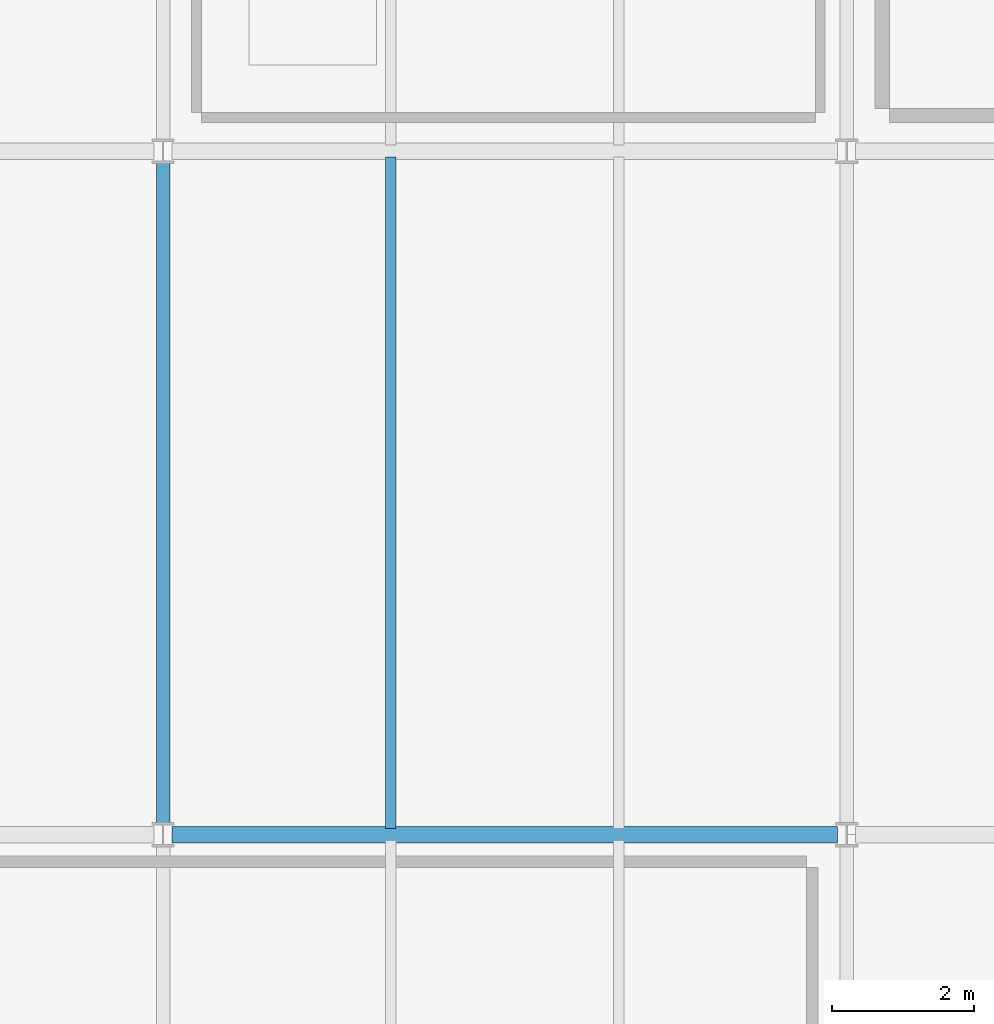
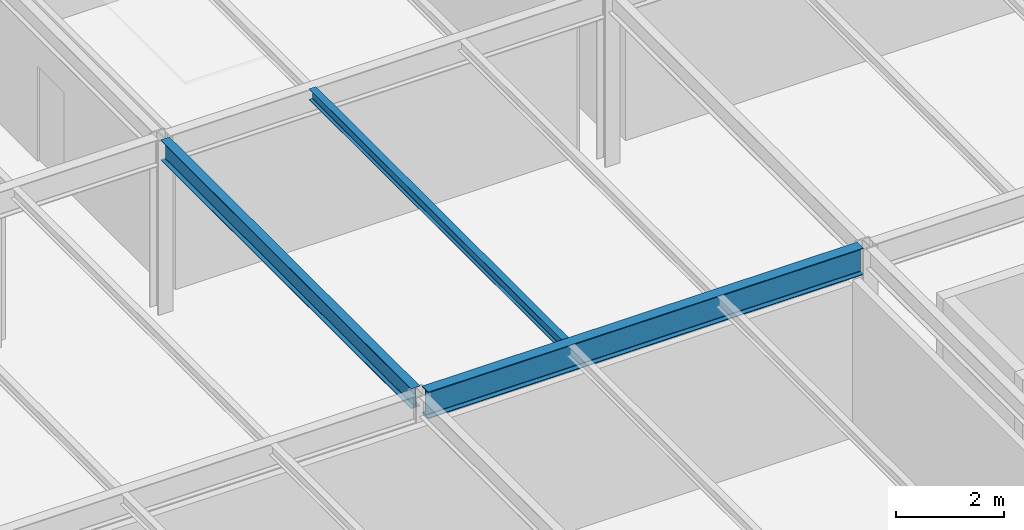
# One storey, part 12 of 126: 3 beams.
"""IFC4 building model written with IfcOpenShell, lengths in metres."""

import ifcopenshell
import ifcopenshell.guid

model = None  # the IFC model being written
_history = None  # IfcOwnerHistory: only IFC2X3 demands one
_inside = {}  # id of a spatial element -> (the spatial element, [elements in it])
_under = {}  # id of a project, library or spatial element -> (it, [spatial elements below it])
_declared = {}  # id of a project -> (the project, [libraries it declares])
_typed = {}  # id of a type object -> (the type object, [elements of that type])
_made_of = {}  # id of a material, layer set ... -> (it, [elements and type objects made of it])


def new_model(schema):
    """Start an empty IFC model of exactly this schema.

    Asked for "IFC4X3", IfcOpenShell would pick the latest addendum, in which some entities
    have other attributes; the version numbers below select the first issue.
    IFC2X3 requires an IfcOwnerHistory on every rooted entity: one is made here for all.
    """
    global model, _history
    if schema == "IFC4X3":
        model = ifcopenshell.file(schema_version=(4, 3, 0, 0))
    else:
        model = ifcopenshell.file(schema=schema)
    _inside.clear()
    _under.clear()
    _declared.clear()
    _typed.clear()
    _made_of.clear()
    _history = None
    if model.schema == "IFC2X3":
        org = make("IfcOrganization", Name="unknown")
        user = make(
            "IfcPersonAndOrganization",
            ThePerson=make("IfcPerson", FamilyName="unknown"),
            TheOrganization=org,
        )
        app = make(
            "IfcApplication",
            ApplicationDeveloper=org,
            Version="unknown",
            ApplicationFullName="unknown",
            ApplicationIdentifier="unknown",
        )
        _history = make(
            "IfcOwnerHistory",
            OwningUser=user,
            OwningApplication=app,
            ChangeAction="ADDED",
            CreationDate=0,
        )
    return model


def make(cls, **values):
    """One entity of the class cls with the attributes given. An attribute that is None is left unset."""
    return model.create_entity(
        cls, **{name: value for name, value in values.items() if value is not None}
    )


def rooted(cls, **values):
    """An entity with a GlobalId (a new one), such as an element, a storey or a relation."""
    return make(cls, GlobalId=ifcopenshell.guid.new(), OwnerHistory=_history, **values)


def si_unit(unit_type, name, prefix=None):
    """IfcSIUnit, for example si_unit("LENGTHUNIT", "METRE", prefix="MILLI")."""
    return make("IfcSIUnit", UnitType=unit_type, Prefix=prefix, Name=name)


def assignment(units):
    """IfcUnitAssignment: the units of a project."""
    return None if units is None else make("IfcUnitAssignment", Units=units)


def point(xyz):
    """IfcCartesianPoint."""
    return None if xyz is None else make("IfcCartesianPoint", Coordinates=xyz)


def direction(xyz):
    """IfcDirection."""
    return None if xyz is None else make("IfcDirection", DirectionRatios=xyz)


def frame(location, z_axis=None, x_axis=None):
    """IfcAxis2Placement3D, a coordinate frame: its origin and axes. An axis left out is left unset."""
    return make(
        "IfcAxis2Placement3D",
        Location=point(location),
        Axis=direction(z_axis),
        RefDirection=direction(x_axis),
    )


def frame_2d(location, x_axis=None):
    """IfcAxis2Placement2D, a coordinate frame in the plane: its origin and x axis."""
    return make(
        "IfcAxis2Placement2D", Location=point(location), RefDirection=direction(x_axis)
    )


def origin():
    """The frame at (0, 0, 0) with its axes left unset."""
    return frame((0.0, 0.0, 0.0))


def origin_2d():
    """The frame at (0, 0) in the plane with its x axis left unset."""
    return frame_2d((0.0, 0.0))


def place(relative_to, where):
    """IfcLocalPlacement: puts the frame where relative to a parent placement (None: the world)."""
    return make(
        "IfcLocalPlacement", PlacementRelTo=relative_to, RelativePlacement=where
    )


def context(
    kind, dimensions, precision=None, world=None, true_north=None, identifier=None
):
    """IfcGeometricRepresentationContext, for example the 3D "Model" context."""
    return make(
        "IfcGeometricRepresentationContext",
        ContextIdentifier=identifier,
        ContextType=kind,
        CoordinateSpaceDimension=dimensions,
        Precision=precision,
        WorldCoordinateSystem=world,
        TrueNorth=true_north,
    )


def subcontext(parent, identifier, kind, view, scale=None):
    """IfcGeometricRepresentationSubContext, for example "Body" below "Model"."""
    return make(
        "IfcGeometricRepresentationSubContext",
        ContextIdentifier=identifier,
        ContextType=kind,
        ParentContext=parent,
        TargetScale=scale,
        TargetView=view,
    )


def project(units=None, contexts=None):
    """IfcProject with its units and contexts."""
    return rooted(
        "IfcProject",
        Name="project",
        RepresentationContexts=contexts,
        UnitsInContext=assignment(units),
    )


def spatial(cls, under=None, at=None, **own):
    """A site, building, storey or space (cls), placed at a placement, below another one or the project."""
    s = rooted(cls, ObjectPlacement=at, **own)
    if under is not None:
        _under.setdefault(under.id(), (under, []))[1].append(s)
    return s


def profile(cls, at=None, kind="AREA", **sizes):
    """A parametric profile (cls). Its sizes go by their IFC names, for example OverallWidth=200.0."""
    return make(cls, ProfileType=kind, Position=at, **sizes)


def i_section(**sizes):
    """IfcIShapeProfileDef."""
    return profile("IfcIShapeProfileDef", **sizes)


def extrude(swept, where, along, depth):
    """IfcExtrudedAreaSolid: the profile swept, set in the frame where, extruded along a direction by depth."""
    return make(
        "IfcExtrudedAreaSolid",
        SweptArea=swept,
        Position=where,
        ExtrudedDirection=direction(along),
        Depth=depth,
    )


def shape(context_of_items, identifier, shape_type, items):
    """IfcShapeRepresentation: the items that make up one representation, for example the "Body"."""
    return make(
        "IfcShapeRepresentation",
        ContextOfItems=context_of_items,
        RepresentationIdentifier=identifier,
        RepresentationType=shape_type,
        Items=items,
    )


def material(Name=None, Category=None):
    """IfcMaterial."""
    return make("IfcMaterial", Name=Name, Category=Category)


def material_profile(
    of_material, cross_section, Name=None, Category=None, Priority=None
):
    """IfcMaterialProfile: a cross section and its material."""
    return make(
        "IfcMaterialProfile",
        Name=Name,
        Material=of_material,
        Profile=cross_section,
        Priority=Priority,
        Category=Category,
    )


def profile_set(profiles, Name=None, composite=None):
    """IfcMaterialProfileSet."""
    return make(
        "IfcMaterialProfileSet",
        Name=Name,
        MaterialProfiles=profiles,
        CompositeProfile=composite,
    )


def made_of(thing, what):
    """Note that an element or type object is made of a material, layer set ...; save() writes the relation."""
    if what is not None:
        _made_of.setdefault(what.id(), (what, []))[1].append(thing)
    return thing


def type_object(cls, material=None, **own):
    """A type object (cls), such as IfcWallType, which elements share."""
    return made_of(rooted(cls, **own), material)


def element(
    cls,
    number,
    at=None,
    inside=None,
    cuts=None,
    type_object=None,
    material=None,
    context=None,
    identifier="Body",
    shape_type=None,
    held_by="IfcProductDefinitionShape",
    body=None,
    shapes=None,
    **own,
):
    """One element of the class cls, such as IfcWall. Its Tag is "e" and its number.

    at: its placement. inside: the storey or other place that contains it. cuts: it is an
    opening in that element (IfcRelVoidsElement). A single representation is given by context,
    identifier, shape_type and body (its items); several are given by shapes. held_by: the class
    of the entity that holds the representations. save() writes the other relations.
    """
    e = rooted(cls, Tag="e%d" % number, ObjectPlacement=at, **own)
    if body is not None:
        shapes = [shape(context, identifier, shape_type, body)]
    if shapes is not None:
        e.Representation = make(held_by, Representations=shapes)
    if inside is not None:
        _inside.setdefault(inside.id(), (inside, []))[1].append(e)
    if cuts is not None:
        rooted(
            "IfcRelVoidsElement", RelatingBuildingElement=cuts, RelatedOpeningElement=e
        )
    if type_object is not None:
        _typed.setdefault(type_object.id(), (type_object, []))[1].append(e)
    return made_of(e, material)


def aggregate(whole, parts):
    """IfcRelAggregates: a whole, such as a stair, and the parts it consists of."""
    return rooted("IfcRelAggregates", RelatingObject=whole, RelatedObjects=parts)


def save(model, path):
    """Write the relations noted so far, then the file.

    IfcRelAggregates (storeys below a building ...), IfcRelContainedInSpatialStructure (elements
    in a storey), IfcRelDefinesByType, IfcRelAssociatesMaterial and IfcRelDeclares: one each for
    every whole, place, type object, material and project.
    """
    for whole, parts in _under.values():
        aggregate(whole, parts)
    for where, things in _inside.values():
        rooted(
            "IfcRelContainedInSpatialStructure",
            RelatedElements=things,
            RelatingStructure=where,
        )
    for kind, things in _typed.values():
        rooted("IfcRelDefinesByType", RelatedObjects=things, RelatingType=kind)
    for what, things in _made_of.values():
        rooted("IfcRelAssociatesMaterial", RelatedObjects=things, RelatingMaterial=what)
    for by, libraries in _declared.values():
        rooted("IfcRelDeclares", RelatingContext=by, RelatedDefinitions=libraries)
    model.write(path)


model = new_model("IFC4")

# Units and contexts
model_context = context("Model", 3, precision=1e-05, world=origin(), true_north=direction((0.0, 1.0)))
body_context = subcontext(model_context, "Body", "Model", "MODEL_VIEW")
ifc_project = project(units=[si_unit("LENGTHUNIT", "METRE"), si_unit("AREAUNIT", "SQUARE_METRE"), si_unit("VOLUMEUNIT", "CUBIC_METRE"), si_unit("PLANEANGLEUNIT", "RADIAN"), si_unit("MASSUNIT", "GRAM", prefix="KILO")], contexts=[model_context])

# Site, building, storey
site_placement = place(None, origin())
site = spatial("IfcSite", under=ifc_project, at=site_placement, CompositionType="ELEMENT")
building_placement = place(site_placement, origin())
building = spatial("IfcBuilding", under=site, at=building_placement, Name="Coralgate Yard Interchange", CompositionType="ELEMENT")
storey_placement = place(building_placement, frame((0.0, 0.0, 10.5)))
storey = spatial("IfcBuildingStorey", under=building, at=storey_placement, Name="L02", CompositionType="ELEMENT", Elevation=10.5)

# Beams
ifc_material = material(Name="Structural steel S355J2", Category="steel")
ifc_material_profile_1 = material_profile(ifc_material, i_section(OverallWidth=0.1904296875, OverallDepth=0.45703125, WebThickness=0.009033203125, FlangeThickness=0.014404296875, FilletRadius=0.01025390625, at=origin_2d()), Name="UB 457x191x74")
ifc_profile_set_1 = profile_set([ifc_material_profile_1], Name="Structural steel S355J2")
beam_type_1 = type_object("IfcBeamType", Name="BM-SB-2", PredefinedType="BEAM", material=ifc_profile_set_1)
beam_1_placement = place(storey_placement, frame((9.60009765625, 9.739990234375, 3.721435546875), z_axis=(0.0, 1.0, 0.0), x_axis=(-1.0, 0.0, 0.0)))
element("IfcBeam", 1, at=beam_1_placement, inside=storey, type_object=beam_type_1, Name="L02 primary grid girder X1 Y1-2", PredefinedType="BEAM", context=body_context, shape_type="SweptSolid", body=[
    extrude(i_section(OverallWidth=0.1904296875, OverallDepth=0.45703125, WebThickness=0.009033203125, FlangeThickness=0.014404296875, FilletRadius=0.01025390625, at=origin_2d()), origin(), (0.0, 0.0, 1.0), 9.320068359375),
])
ifc_material_profile_2 = material_profile(ifc_material, i_section(OverallWidth=0.228271484375, OverallDepth=0.607666015625, WebThickness=0.010986328125, FlangeThickness=0.017333984375, FilletRadius=0.0126953125, at=origin_2d()), Name="UB 610x229x113")
ifc_profile_set_2 = profile_set([ifc_material_profile_2], Name="Structural steel S355J2")
beam_type_2 = type_object("IfcBeamType", Name="BM-SG-5", PredefinedType="BEAM", material=ifc_profile_set_2)
beam_2_placement = place(storey_placement, frame((9.727294921875, 9.60009765625, 3.646240234375), z_axis=(1.0, 0.0, 0.0), x_axis=(0.0, 1.0, 0.0)))
element("IfcBeam", 2, at=beam_2_placement, inside=storey, type_object=beam_type_2, Name="L02 primary grid beam Y1 X1-2", PredefinedType="BEAM", context=body_context, shape_type="SweptSolid", body=[
    extrude(i_section(OverallWidth=0.228271484375, OverallDepth=0.607666015625, WebThickness=0.010986328125, FlangeThickness=0.017333984375, FilletRadius=0.0126953125, at=origin_2d()), origin(), (0.0, 0.0, 1.0), 9.345458984375),
])
ifc_material_profile_3 = material_profile(ifc_material, i_section(OverallWidth=0.14599609375, OverallDepth=0.25146484375, WebThickness=0.006103515625, FlangeThickness=0.008544921875, FilletRadius=0.007568359375, at=origin_2d()), Name="UB 254x146x31")
ifc_profile_set_3 = profile_set([ifc_material_profile_3], Name="Structural steel S355J2")
beam_type_3 = type_object("IfcBeamType", Name="BM-SJ-2", PredefinedType="JOIST", material=ifc_profile_set_3)
beam_3_placement = place(storey_placement, frame((12.800048828125, 9.68408203125, 3.82421875), z_axis=(0.0, 1.0, 0.0), x_axis=(-1.0, 0.0, 0.0)))
element("IfcBeam", 3, at=beam_3_placement, inside=storey, type_object=beam_type_3, Name="L02 composite floor joist 1-1-1", PredefinedType="JOIST", context=body_context, shape_type="SweptSolid", body=[
    extrude(i_section(OverallWidth=0.14599609375, OverallDepth=0.25146484375, WebThickness=0.006103515625, FlangeThickness=0.008544921875, FilletRadius=0.007568359375, at=origin_2d()), origin(), (0.0, 0.0, 1.0), 9.431884765625),
])

save(model, "model.ifc")
